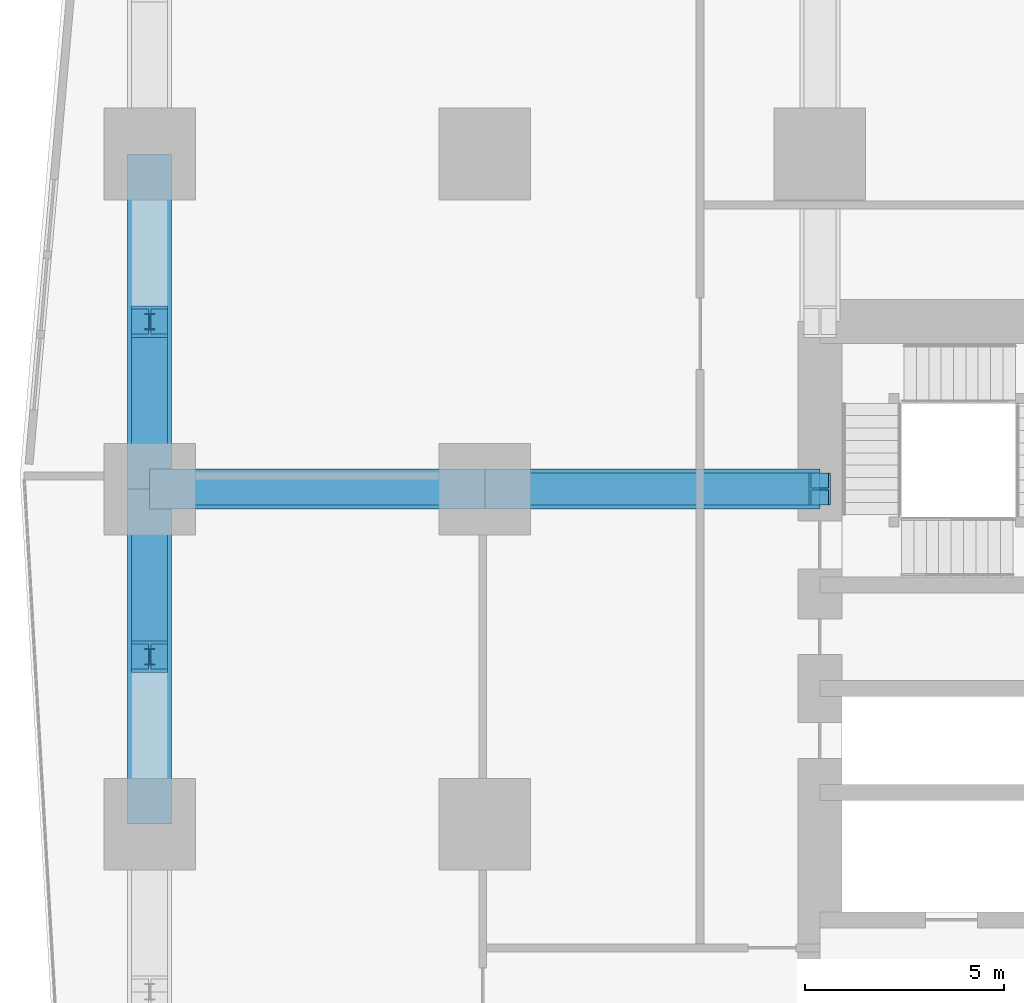
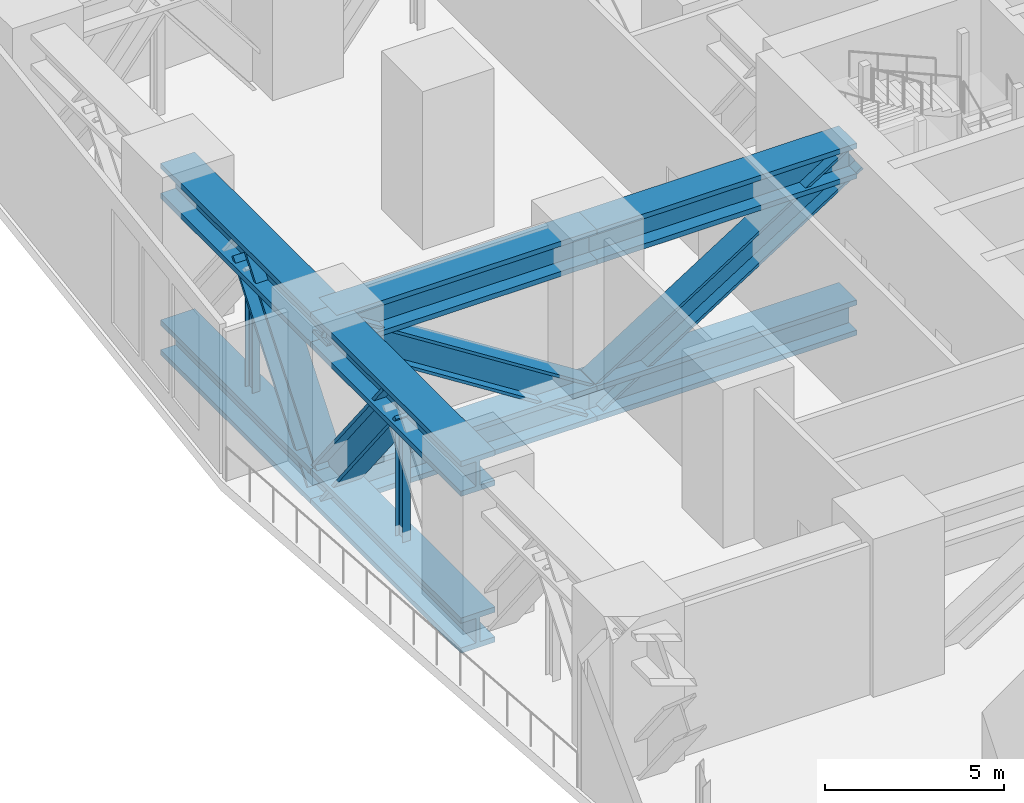
# One storey, part 3 of 16: 14 members.
"""IFC4 building model written with IfcOpenShell, lengths in metres."""

from ifc_helpers import new_model, si_unit, direction, frame, origin, origin_2d, place, context, subcontext, project, spatial, i_section, extrude, material, material_profile, profile_set, type_object, element, save


model = new_model("IFC4")

# Units and contexts
model_context = context("Model", 3, precision=1e-05, world=origin(), true_north=direction((0.0, 1.0)))
body_context = subcontext(model_context, "Body", "Model", "MODEL_VIEW")
ifc_project = project(units=[si_unit("LENGTHUNIT", "METRE"), si_unit("AREAUNIT", "SQUARE_METRE"), si_unit("VOLUMEUNIT", "CUBIC_METRE"), si_unit("PLANEANGLEUNIT", "RADIAN"), si_unit("MASSUNIT", "GRAM", prefix="KILO")], contexts=[model_context])

# Site, building, storey
site_placement = place(None, origin())
site = spatial("IfcSite", under=ifc_project, at=site_placement, CompositionType="ELEMENT")
building_placement = place(site_placement, origin())
building = spatial("IfcBuilding", under=site, at=building_placement, Name="Rekha Terrace Tower", CompositionType="ELEMENT")
storey_placement = place(building_placement, frame((0.0, 0.0, 240.199951171875)))
storey = spatial("IfcBuildingStorey", under=building, at=storey_placement, Name="L61", CompositionType="ELEMENT", Elevation=240.199951171875)

# Members
ifc_material = material(Name="Steel E350", Category="steel")
ifc_material_profile_1 = material_profile(ifc_material, i_section(OverallWidth=1.10009765625, OverallDepth=1.199951171875, WebThickness=0.1201171875, FlangeThickness=0.179931640625, at=origin_2d()), Name="BU 1200x1100x120x180")
ifc_profile_set_1 = profile_set([ifc_material_profile_1], Name="Steel E350")
member_type_1 = type_object("IfcMemberType", Name="BC61 BU 1200x1100x120x180 belt truss chord", PredefinedType="CHORD", material=ifc_profile_set_1)
for number, where, z_axis, x_axis, name in (
    (1, (8.39990234375, 50.39990234375, 4.400146484375), (0.0, -1.0, 0.0), (1.0, 0.0, 0.0), "Belt top chord 2G-2F L61"),
    (2, (8.39990234375, 50.39990234375, -0.949951171875), (0.0, -1.0, 0.0), (1.0, 0.0, 0.0), "Belt bottom chord 2G-2F L61"),
    (3, (8.39990234375, 42.0, 4.400146484375), (0.0, -1.0, 0.0), (1.0, 0.0, 0.0), "Belt top chord 2F-2E L61"),
    (4, (8.39990234375, 42.0, -0.949951171875), (0.0, -1.0, 0.0), (1.0, 0.0, 0.0), "Belt bottom chord 2F-2E L61"),
):
    element("IfcMember", number, at=place(storey_placement, frame(where, z_axis=z_axis, x_axis=x_axis)), inside=storey, type_object=member_type_1, Name=name, PredefinedType="CHORD", context=body_context, shape_type="SweptSolid", body=[
        extrude(i_section(OverallWidth=1.10009765625, OverallDepth=1.199951171875, WebThickness=0.1201171875, FlangeThickness=0.179931640625, at=origin_2d()), origin(), (0.0, 0.0, 1.0), 8.39990234375),
    ])
ifc_material_profile_2 = material_profile(ifc_material, i_section(OverallWidth=0.89990234375, OverallDepth=1.0, WebThickness=0.06005859375, FlangeThickness=0.10009765625, at=origin_2d()), Name="BU 1000x900x60x100")
ifc_profile_set_2 = profile_set([ifc_material_profile_2], Name="Steel E350")
member_type_2 = type_object("IfcMemberType", Name="BD61 BU 1000x900x60x100 belt truss diagonal", PredefinedType="BRACE", material=ifc_profile_set_2)
for number, where, z_axis, x_axis, name in (
    (5, (8.39990234375, 42.0, -0.949951171875), (0.0, 0.617485427507, 0.786582320432), (-1.0, 0.0, 0.0), "Belt diagonal 2G-2F L61"),
    (6, (8.39990234375, 42.0, -0.949951171875), (0.0, -0.617485427507, 0.786582320432), (1.0, 0.0, 0.0), "Belt diagonal 2F-2E L61"),
):
    element("IfcMember", number, at=place(storey_placement, frame(where, z_axis=z_axis, x_axis=x_axis)), inside=storey, type_object=member_type_2, Name=name, PredefinedType="BRACE", context=body_context, shape_type="SweptSolid", body=[
        extrude(i_section(OverallWidth=0.89990234375, OverallDepth=1.0, WebThickness=0.06005859375, FlangeThickness=0.10009765625, at=origin_2d()), origin(), (0.0, 0.0, 1.0), 6.8017578125),
    ])
ifc_material_profile_3 = material_profile(ifc_material, i_section(OverallWidth=0.25, OverallDepth=0.39990234375, WebThickness=0.010498046875, FlangeThickness=0.01611328125, FilletRadius=0.013916015625, at=origin_2d()), Name="ISHB 400")
ifc_profile_set_3 = profile_set([ifc_material_profile_3], Name="Steel E350")
member_type_3 = type_object("IfcMemberType", Name="BV61 ISHB 400 belt truss post", PredefinedType="POST", material=ifc_profile_set_3)
for number, where, z_axis, x_axis, name in (
    (7, (8.39990234375, 46.199951171875, -0.349853515625), (0.0, 0.0, 1.0), (1.0, 0.0, 0.0), "Belt post 2G-2F L61"),
    (8, (8.39990234375, 37.800048828125, -0.349853515625), (0.0, 0.0, 1.0), (1.0, 0.0, 0.0), "Belt post 2F-2E L61"),
):
    element("IfcMember", number, at=place(storey_placement, frame(where, z_axis=z_axis, x_axis=x_axis)), inside=storey, type_object=member_type_3, Name=name, PredefinedType="POST", context=body_context, shape_type="SweptSolid", body=[
        extrude(i_section(OverallWidth=0.25, OverallDepth=0.39990234375, WebThickness=0.010498046875, FlangeThickness=0.01611328125, FilletRadius=0.013916015625, at=origin_2d()), origin(), (0.0, 0.0, 1.0), 4.14990234375),
    ])
ifc_material_profile_4 = material_profile(ifc_material, i_section(OverallWidth=1.0, OverallDepth=1.199951171875, WebThickness=0.139892578125, FlangeThickness=0.169921875, at=origin_2d()), Name="BU 1200x1000x140x170")
ifc_profile_set_4 = profile_set([ifc_material_profile_4], Name="Steel E350")
member_type_4 = type_object("IfcMemberType", Name="OC61 BU 1200x1000x140x170 outrigger chord", PredefinedType="CHORD", material=ifc_profile_set_4)
for number, where, z_axis, x_axis, name in (
    (9, (25.199951171875, 42.0, 4.400146484375), (-1.0, 0.0, 0.0), (0.0, -1.0, 0.0), "Outrigger top chord WF-1 L61"),
    (10, (25.199951171875, 42.0, -0.949951171875), (-1.0, 0.0, 0.0), (0.0, -1.0, 0.0), "Outrigger bottom chord WF-1 L61"),
):
    element("IfcMember", number, at=place(storey_placement, frame(where, z_axis=z_axis, x_axis=x_axis)), inside=storey, type_object=member_type_4, Name=name, PredefinedType="CHORD", context=body_context, shape_type="SweptSolid", body=[
        extrude(i_section(OverallWidth=1.0, OverallDepth=1.199951171875, WebThickness=0.139892578125, FlangeThickness=0.169921875, at=origin_2d()), origin(), (0.0, 0.0, 1.0), 8.39990234375),
    ])
for number, where, z_axis, x_axis, name in (
    (11, (16.800048828125, 42.0, 4.400146484375), (-1.0, 0.0, 0.0), (0.0, -1.0, 0.0), "Outrigger top chord WF-2 L61"),
    (12, (16.800048828125, 42.0, -0.949951171875), (-1.0, 0.0, 0.0), (0.0, -1.0, 0.0), "Outrigger bottom chord WF-2 L61"),
):
    element("IfcMember", number, at=place(storey_placement, frame(where, z_axis=z_axis, x_axis=x_axis)), inside=storey, type_object=member_type_4, Name=name, PredefinedType="CHORD", context=body_context, shape_type="SweptSolid", body=[
        extrude(i_section(OverallWidth=1.0, OverallDepth=1.199951171875, WebThickness=0.139892578125, FlangeThickness=0.169921875, at=origin_2d()), origin(), (0.0, 0.0, 1.0), 8.400146484375),
    ])
ifc_material_profile_5 = material_profile(ifc_material, i_section(OverallWidth=0.800048828125, OverallDepth=1.0, WebThickness=0.050048828125, FlangeThickness=0.090087890625, at=origin_2d()), Name="BU 1000x800x50x90")
ifc_profile_set_5 = profile_set([ifc_material_profile_5], Name="Steel E350")
member_type_5 = type_object("IfcMemberType", Name="OD61 BU 1000x800x50x90 outrigger diagonal", PredefinedType="BRACE", material=ifc_profile_set_5)
member_1_placement = place(storey_placement, frame((25.199951171875, 42.0, 4.400146484375), z_axis=(-0.843447423157, 0.0, -0.537211731415), x_axis=(0.0, -1.0, 0.0)))
element("IfcMember", 13, at=member_1_placement, inside=storey, type_object=member_type_5, Name="Outrigger diagonal WF-1 L61", PredefinedType="BRACE", context=body_context, shape_type="SweptSolid", body=[
    extrude(i_section(OverallWidth=0.800048828125, OverallDepth=1.0, WebThickness=0.050048828125, FlangeThickness=0.090087890625, at=origin_2d()), origin(), (0.0, 0.0, 1.0), 9.958984375),
])
member_2_placement = place(storey_placement, frame((16.800048828125, 42.0, -0.949951171875), z_axis=(-0.843454497748, 0.0, 0.537200623816), x_axis=(0.0, -1.0, 0.0)))
element("IfcMember", 14, at=member_2_placement, inside=storey, type_object=member_type_5, Name="Outrigger diagonal WF-2 L61", PredefinedType="BRACE", context=body_context, shape_type="SweptSolid", body=[
    extrude(i_section(OverallWidth=0.800048828125, OverallDepth=1.0, WebThickness=0.050048828125, FlangeThickness=0.090087890625, at=origin_2d()), origin(), (0.0, 0.0, 1.0), 9.959228515625),
])

save(model, "model.ifc")
